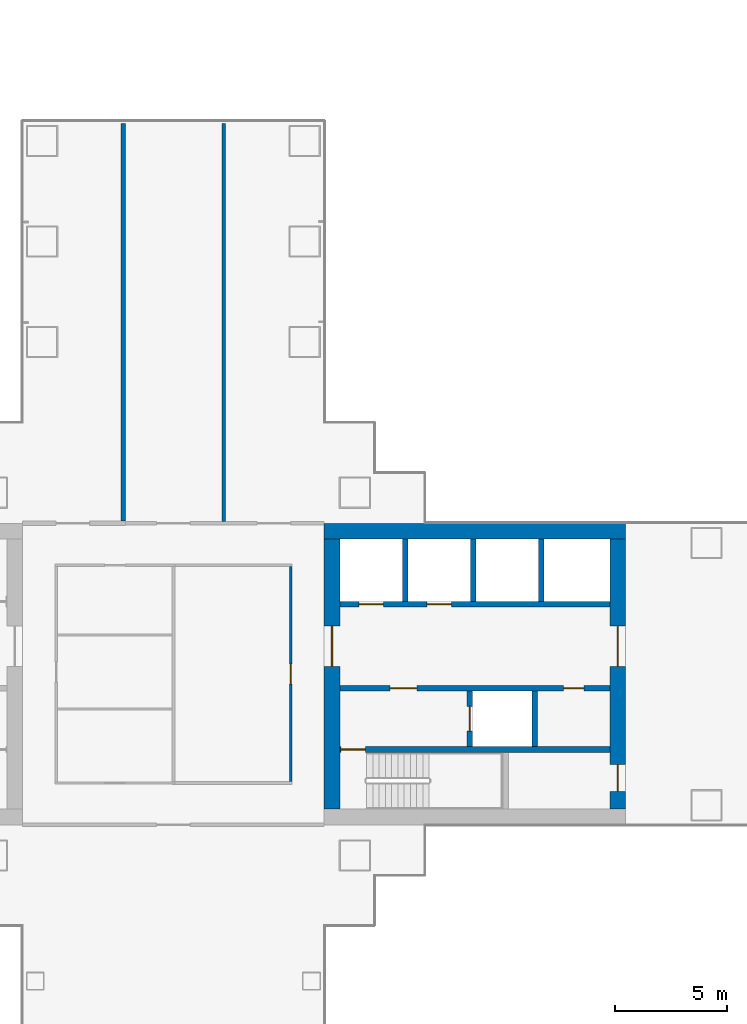
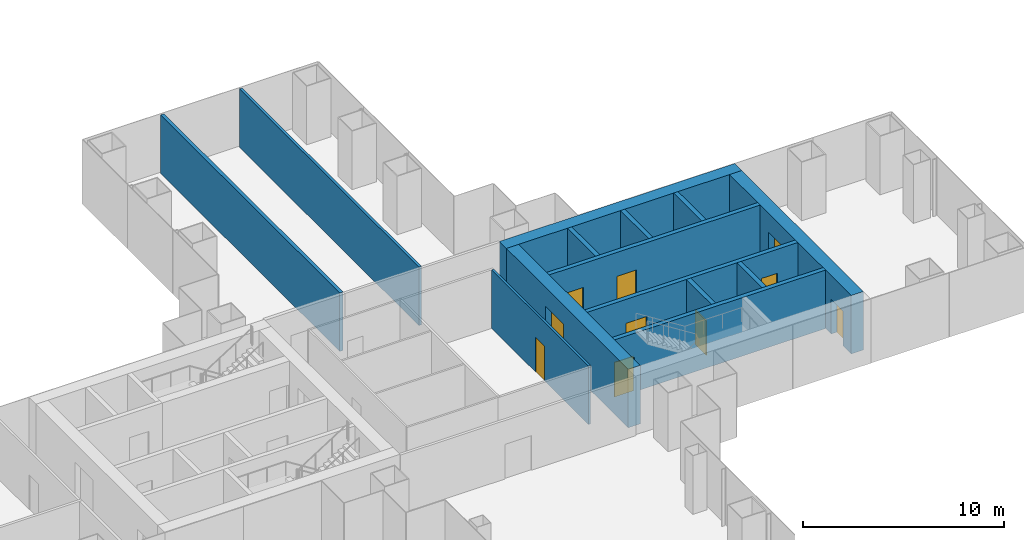
# One storey, part 14 of 21: 14 walls, 10 doors, 10 openings.
"""IFC4 building model written with IfcOpenShell, lengths in metres."""

from ifc_helpers import new_model, si_unit, direction, frame, frame_2d, origin, place, context, subcontext, project, spatial, rectangle, extrude, material, layer, layer_set, type_object, element, fill, save


model = new_model("IFC4")

# Units and contexts
model_context = context("Model", 3, precision=1e-05, world=origin(), true_north=direction((0.0, 1.0)))
body_context = subcontext(model_context, "Body", "Model", "MODEL_VIEW")
ifc_project = project(units=[si_unit("LENGTHUNIT", "METRE"), si_unit("AREAUNIT", "SQUARE_METRE"), si_unit("VOLUMEUNIT", "CUBIC_METRE"), si_unit("PLANEANGLEUNIT", "RADIAN"), si_unit("MASSUNIT", "GRAM", prefix="KILO")], contexts=[model_context])

# Site, building, storey
site_placement = place(None, origin())
site = spatial("IfcSite", under=ifc_project, at=site_placement, CompositionType="ELEMENT")
building_placement = place(site_placement, origin())
building = spatial("IfcBuilding", under=site, at=building_placement, Name="Shamsa Quay Exchange Towers", CompositionType="ELEMENT")
storey_placement = place(building_placement, frame((0.0, 0.0, 49.800048828125)))
storey = spatial("IfcBuildingStorey", under=building, at=storey_placement, Name="L10", CompositionType="ELEMENT", Elevation=49.800048828125)

# Wall
ifc_material_1 = material(Name="Concrete C80/95", Category="concrete")
ifc_layer_1 = layer(ifc_material_1, 0.699951171875)
ifc_layer_set_1 = layer_set([ifc_layer_1], Name="CORE WALL 700 C80/95")
wall_type_1 = type_object("IfcWallType", Name="CORE WALL 700 C80/95", PredefinedType="SHEAR", material=ifc_layer_set_1)
wall_1_placement = place(storey_placement, frame((-27.0, 6.39990234375, 0.0)))
element("IfcWall", 1, at=wall_1_placement, inside=storey, type_object=wall_type_1, Name="Core wall T1A-R04-PN", PredefinedType="SHEAR", context=body_context, shape_type="SweptSolid", body=[
    extrude(rectangle(XDim=13.5, YDim=0.699951171875, at=frame_2d((6.75, 0.0))), origin(), (0.0, 0.0, 1.0), 3.550048828125),
])

# Wall, opening, door
wall_2_placement = place(storey_placement, frame((-26.64990234375, 6.050048828125, 0.0), z_axis=(0.0, 0.0, 1.0), x_axis=(0.0, -1.0, 0.0)))
wall_2 = element("IfcWall", 2, at=wall_2_placement, inside=storey, type_object=wall_type_1, Name="Core wall T1A-R04-PF", PredefinedType="SHEAR", context=body_context, shape_type="SweptSolid", body=[
    extrude(rectangle(XDim=12.10009765625, YDim=0.699951171875, at=frame_2d((6.050048828125, 0.0))), origin(), (0.0, 0.0, 1.0), 3.550048828125),
])
opening_1_placement = place(wall_2_placement, frame((3.89990234375, 0.0, 0.0)))
opening_1 = element("IfcOpeningElement", 3, at=opening_1_placement, cuts=wall_2, Name="Opening T1A-R04-LBD01", PredefinedType="OPENING", context=body_context, shape_type="SweptSolid", body=[
    extrude(rectangle(XDim=1.800048828125, YDim=2.39990234375, at=frame_2d((0.89990234375, 1.199951171875))), frame((0.0, 0.35986328125, 0.0), z_axis=(0.0, -1.0, 0.0), x_axis=(1.0, 0.0, 0.0)), (0.0, 0.0, 1.0), 0.719970703125),
])
ifc_material_2 = material(Name="Steel, fire rated", Category="steel")
door_type_1 = type_object("IfcDoorType", Name="LIFT LOBBY DOOR PAIR 1800", OperationType="DOUBLE_DOOR_SINGLE_SWING", PredefinedType="DOOR", material=ifc_material_2)
door_1_placement = place(opening_1_placement, origin())
door_1 = element("IfcDoor", 4, at=door_1_placement, inside=storey, type_object=door_type_1, Name="T1A-R04-LBD01", OperationType="DOUBLE_DOOR_SINGLE_SWING", OverallHeight=2.39990234375, OverallWidth=1.800048828125, PredefinedType="DOOR", context=body_context, shape_type="SweptSolid", body=[
    extrude(rectangle(XDim=1.800048828125, YDim=2.39990234375, at=frame_2d((0.89990234375, 1.199951171875))), frame((0.0, 0.02490234375, 0.0), z_axis=(0.0, -1.0, 0.0), x_axis=(1.0, 0.0, 0.0)), (0.0, 0.0, 1.0), 0.050048828125),
])
fill(opening_1, door_1)

# Wall, openings, doors
wall_3_placement = place(storey_placement, frame((-13.85009765625, 6.050048828125, 0.0), z_axis=(0.0, 0.0, 1.0), x_axis=(0.0, -1.0, 0.0)))
wall_3 = element("IfcWall", 5, at=wall_3_placement, inside=storey, type_object=wall_type_1, Name="Core wall T1A-R04-PB", PredefinedType="SHEAR", context=body_context, shape_type="SweptSolid", body=[
    extrude(rectangle(XDim=12.10009765625, YDim=0.699951171875, at=frame_2d((6.050048828125, 0.0))), origin(), (0.0, 0.0, 1.0), 3.550048828125),
])
opening_2_placement = place(wall_3_placement, frame((10.10009765625, 0.0, 0.0)))
opening_2 = element("IfcOpeningElement", 6, at=opening_2_placement, cuts=wall_3, Name="Opening T1A-R04-RD02", PredefinedType="OPENING", context=body_context, shape_type="SweptSolid", body=[
    extrude(rectangle(XDim=1.199951171875, YDim=2.10009765625, at=frame_2d((0.60009765625, 1.050048828125))), frame((0.0, 0.35986328125, 0.0), z_axis=(0.0, -1.0, 0.0), x_axis=(1.0, 0.0, 0.0)), (0.0, 0.0, 1.0), 0.719970703125),
])
opening_3_placement = place(wall_3_placement, frame((3.89990234375, 0.0, 0.0)))
opening_3 = element("IfcOpeningElement", 7, at=opening_3_placement, cuts=wall_3, Name="Opening T1A-R04-LBD03", PredefinedType="OPENING", context=body_context, shape_type="SweptSolid", body=[
    extrude(rectangle(XDim=1.800048828125, YDim=2.39990234375, at=frame_2d((0.89990234375, 1.199951171875))), frame((0.0, 0.35986328125, 0.0), z_axis=(0.0, -1.0, 0.0), x_axis=(1.0, 0.0, 0.0)), (0.0, 0.0, 1.0), 0.719970703125),
])
door_2_placement = place(opening_3_placement, origin())
door_2 = element("IfcDoor", 8, at=door_2_placement, inside=storey, type_object=door_type_1, Name="T1A-R04-LBD03", OperationType="DOUBLE_DOOR_SINGLE_SWING", OverallHeight=2.39990234375, OverallWidth=1.800048828125, PredefinedType="DOOR", context=body_context, shape_type="SweptSolid", body=[
    extrude(rectangle(XDim=1.800048828125, YDim=2.39990234375, at=frame_2d((0.89990234375, 1.199951171875))), frame((0.0, 0.02490234375, 0.0), z_axis=(0.0, -1.0, 0.0), x_axis=(1.0, 0.0, 0.0)), (0.0, 0.0, 1.0), 0.050048828125),
])
fill(opening_3, door_2)
door_type_2 = type_object("IfcDoorType", Name="RISER ACCESS DOOR 1200", OperationType="SINGLE_SWING_LEFT", PredefinedType="DOOR", material=ifc_material_2)
door_3_placement = place(opening_2_placement, origin())
door_3 = element("IfcDoor", 9, at=door_3_placement, inside=storey, type_object=door_type_2, Name="T1A-R04-RD02", OperationType="SINGLE_SWING_RIGHT", OverallHeight=2.10009765625, OverallWidth=1.199951171875, PredefinedType="DOOR", context=body_context, shape_type="SweptSolid", body=[
    extrude(rectangle(XDim=1.199951171875, YDim=2.10009765625, at=frame_2d((0.60009765625, 1.050048828125))), frame((0.0, 0.02490234375, 0.0), z_axis=(0.0, -1.0, 0.0), x_axis=(1.0, 0.0, 0.0)), (0.0, 0.0, 1.0), 0.050048828125),
])
fill(opening_2, door_3)

# Wall, opening, door
ifc_material_3 = material(Name="Laminated fire-resisting glass in a metal frame", Category="glass")
ifc_layer_2 = layer(ifc_material_3, 0.125)
ifc_layer_set_2 = layer_set([ifc_layer_2], Name="Glazed partition 125 mm EI 60")
wall_type_2 = type_object("IfcWallType", Name="Glazed partition 125 mm EI 60", PredefinedType="PARTITIONING", material=ifc_layer_set_2)
wall_4_placement = place(storey_placement, frame((-28.5, -4.8125, 0.0), z_axis=(0.0, 0.0, 1.0), x_axis=(0.0, 1.0, 0.0)))
wall_4 = element("IfcWall", 10, at=wall_4_placement, inside=storey, type_object=wall_type_2, Name="Partition T1-R04-W05", PredefinedType="PARTITIONING", context=body_context, shape_type="SweptSolid", body=[
    extrude(rectangle(XDim=9.625, YDim=0.125, at=frame_2d((4.8125, 0.0))), origin(), (0.0, 0.0, 1.0), 3.550048828125),
])
opening_4_placement = place(wall_4_placement, frame((4.362548828125, 0.0, 0.0)))
opening_4 = element("IfcOpeningElement", 11, at=opening_4_placement, cuts=wall_4, Name="Opening T1-R04-D09", PredefinedType="OPENING", context=body_context, shape_type="SweptSolid", body=[
    extrude(rectangle(XDim=0.89990234375, YDim=2.10009765625, at=frame_2d((0.449951171875, 1.050048828125))), frame((0.0, 0.072509765625, 0.0), z_axis=(0.0, -1.0, 0.0), x_axis=(1.0, 0.0, 0.0)), (0.0, 0.0, 1.0), 0.14501953125),
])
ifc_material_4 = material(Name="Timber door leaf in a metal frame", Category="wood")
door_type_3 = type_object("IfcDoorType", Name="Door 900x2100 FD30S", OperationType="NOTDEFINED", PredefinedType="DOOR", material=ifc_material_4)
door_4_placement = place(opening_4_placement, origin())
door_4 = element("IfcDoor", 12, at=door_4_placement, inside=storey, type_object=door_type_3, Name="Door T1-R04-D09", OperationType="SINGLE_SWING_RIGHT", OverallHeight=2.10009765625, OverallWidth=0.89990234375, PredefinedType="DOOR", context=body_context, shape_type="SweptSolid", body=[
    extrude(rectangle(XDim=0.89990234375, YDim=2.10009765625, at=frame_2d((0.449951171875, 1.050048828125))), frame((0.0, 0.02490234375, 0.0), z_axis=(0.0, -1.0, 0.0), x_axis=(1.0, 0.0, 0.0)), (0.0, 0.0, 1.0), 0.050048828125),
])
fill(opening_4, door_4)

# Walls
ifc_material_5 = material(Name="Gypsum board partition on metal studs")
ifc_layer_3 = layer(ifc_material_5, 0.14990234375)
ifc_layer_set_3 = layer_set([ifc_layer_3], Name="Partition 150 mm EI 60")
wall_type_3 = type_object("IfcWallType", Name="Partition 150 mm EI 60", PredefinedType="PARTITIONING", material=ifc_layer_set_3)
wall_5_placement = place(storey_placement, frame((-31.5, 6.824951171875, 0.0), z_axis=(0.0, 0.0, 1.0), x_axis=(0.0, 1.0, 0.0)))
element("IfcWall", 13, at=wall_5_placement, inside=storey, type_object=wall_type_3, Name="Partition T1-R04-W16", PredefinedType="PARTITIONING", context=body_context, shape_type="SweptSolid", body=[
    extrude(rectangle(XDim=17.830078125, YDim=0.14990234375, at=frame_2d((8.9150390625, 0.0))), origin(), (0.0, 0.0, 1.0), 3.550048828125),
])
ifc_layer_4 = layer(ifc_material_5, 0.199951171875)
ifc_layer_set_4 = layer_set([ifc_layer_4], Name="Partition 200 mm EI 90")
wall_type_4 = type_object("IfcWallType", Name="Partition 200 mm EI 90", PredefinedType="PARTITIONING", material=ifc_layer_set_4)
wall_6_placement = place(storey_placement, frame((-36.0, 6.85009765625, 0.0), z_axis=(0.0, 0.0, 1.0), x_axis=(0.0, 1.0, 0.0)))
element("IfcWall", 14, at=wall_6_placement, inside=storey, type_object=wall_type_4, Name="Partition T1-R04-W15", PredefinedType="PARTITIONING", context=body_context, shape_type="SweptSolid", body=[
    extrude(rectangle(XDim=17.804931640625, YDim=0.199951171875, at=frame_2d((8.90234375, 0.0))), origin(), (0.0, 0.0, 1.0), 3.550048828125),
])

# Wall, opening, door
ifc_material_6 = material(Name="Concrete C50/60", Category="concrete")
ifc_layer_5 = layer(ifc_material_6, 0.25)
ifc_layer_set_5 = layer_set([ifc_layer_5], Name="SHAFT WALL 250 C50/60")
wall_type_5 = type_object("IfcWallType", Name="SHAFT WALL 250 C50/60", PredefinedType="SHEAR", material=ifc_layer_set_5)
wall_7_placement = place(storey_placement, frame((-14.199951171875, -3.375, 0.0), z_axis=(0.0, 0.0, 1.0), x_axis=(-1.0, 0.0, 0.0)))
wall_7 = element("IfcWall", 15, at=wall_7_placement, inside=storey, type_object=wall_type_5, Name="Shaft wall T1A-R04-STL", PredefinedType="SHEAR", context=body_context, shape_type="SweptSolid", body=[
    extrude(rectangle(XDim=12.10009765625, YDim=0.25, at=frame_2d((6.050048828125, 0.0))), origin(), (0.0, 0.0, 1.0), 3.550048828125),
])
opening_5_placement = place(wall_7_placement, frame((10.949951171875, 0.0, 0.0)))
opening_5 = element("IfcOpeningElement", 16, at=opening_5_placement, cuts=wall_7, Name="Opening T1A-R04-SD04", PredefinedType="OPENING", context=body_context, shape_type="SweptSolid", body=[
    extrude(rectangle(XDim=1.10009765625, YDim=2.10009765625, at=frame_2d((0.550048828125, 1.050048828125))), frame((0.0, 0.135009765625, 0.0), z_axis=(0.0, -1.0, 0.0), x_axis=(1.0, 0.0, 0.0)), (0.0, 0.0, 1.0), 0.27001953125),
])
door_type_4 = type_object("IfcDoorType", Name="STAIR DOOR 1100", OperationType="SINGLE_SWING_LEFT", PredefinedType="DOOR", material=ifc_material_2)
door_5_placement = place(opening_5_placement, origin())
door_5 = element("IfcDoor", 17, at=door_5_placement, inside=storey, type_object=door_type_4, Name="T1A-R04-SD04", OperationType="SINGLE_SWING_RIGHT", OverallHeight=2.10009765625, OverallWidth=1.10009765625, PredefinedType="DOOR", context=body_context, shape_type="SweptSolid", body=[
    extrude(rectangle(XDim=1.10009765625, YDim=2.10009765625, at=frame_2d((0.550048828125, 1.050048828125))), frame((0.0, 0.02490234375, 0.0), z_axis=(0.0, -1.0, 0.0), x_axis=(1.0, 0.0, 0.0)), (0.0, 0.0, 1.0), 0.050048828125),
])
fill(opening_5, door_5)

# Wall, openings, doors
wall_8_placement = place(storey_placement, frame((-14.199951171875, -0.625, 0.0), z_axis=(0.0, 0.0, 1.0), x_axis=(-1.0, 0.0, 0.0)))
wall_8 = element("IfcWall", 18, at=wall_8_placement, inside=storey, type_object=wall_type_5, Name="Shaft wall T1A-R04-B", PredefinedType="SHEAR", context=body_context, shape_type="SweptSolid", body=[
    extrude(rectangle(XDim=12.10009765625, YDim=0.25, at=frame_2d((6.050048828125, 0.0))), origin(), (0.0, 0.0, 1.0), 3.550048828125),
])
opening_6_placement = place(wall_8_placement, frame((8.64990234375, 0.0, 0.0)))
opening_6 = element("IfcOpeningElement", 19, at=opening_6_placement, cuts=wall_8, Name="Opening T1A-R04-FD05", PredefinedType="OPENING", context=body_context, shape_type="SweptSolid", body=[
    extrude(rectangle(XDim=1.199951171875, YDim=2.10009765625, at=frame_2d((0.60009765625, 1.050048828125))), frame((0.0, 0.135009765625, 0.0), z_axis=(0.0, -1.0, 0.0), x_axis=(1.0, 0.0, 0.0)), (0.0, 0.0, 1.0), 0.27001953125),
])
opening_7_placement = place(wall_8_placement, frame((1.175048828125, 0.0, 0.0)))
opening_7 = element("IfcOpeningElement", 20, at=opening_7_placement, cuts=wall_8, Name="Opening T1A-R04-SV06", PredefinedType="OPENING", context=body_context, shape_type="SweptSolid", body=[
    extrude(rectangle(XDim=0.89990234375, YDim=2.10009765625, at=frame_2d((0.449951171875, 1.050048828125))), frame((0.0, 0.135009765625, 0.0), z_axis=(0.0, -1.0, 0.0), x_axis=(1.0, 0.0, 0.0)), (0.0, 0.0, 1.0), 0.27001953125),
])
door_type_5 = type_object("IfcDoorType", Name="FIRE SERVICE LOBBY DOOR 1200", OperationType="SINGLE_SWING_LEFT", PredefinedType="DOOR", material=ifc_material_2)
door_6_placement = place(opening_6_placement, origin())
door_6 = element("IfcDoor", 21, at=door_6_placement, inside=storey, type_object=door_type_5, Name="T1A-R04-FD05", OperationType="SINGLE_SWING_RIGHT", OverallHeight=2.10009765625, OverallWidth=1.199951171875, PredefinedType="DOOR", context=body_context, shape_type="SweptSolid", body=[
    extrude(rectangle(XDim=1.199951171875, YDim=2.10009765625, at=frame_2d((0.60009765625, 1.050048828125))), frame((0.0, 0.02490234375, 0.0), z_axis=(0.0, -1.0, 0.0), x_axis=(1.0, 0.0, 0.0)), (0.0, 0.0, 1.0), 0.050048828125),
])
fill(opening_6, door_6)
door_type_6 = type_object("IfcDoorType", Name="SERVICE ROOM DOOR 900", OperationType="SINGLE_SWING_LEFT", PredefinedType="DOOR", material=ifc_material_2)
door_7_placement = place(opening_7_placement, origin())
door_7 = element("IfcDoor", 22, at=door_7_placement, inside=storey, type_object=door_type_6, Name="T1A-R04-SV06", OperationType="SINGLE_SWING_LEFT", OverallHeight=2.10009765625, OverallWidth=0.89990234375, PredefinedType="DOOR", context=body_context, shape_type="SweptSolid", body=[
    extrude(rectangle(XDim=0.89990234375, YDim=2.10009765625, at=frame_2d((0.449951171875, 1.050048828125))), frame((0.0, 0.02490234375, 0.0), z_axis=(0.0, -1.0, 0.0), x_axis=(1.0, 0.0, 0.0)), (0.0, 0.0, 1.0), 0.050048828125),
])
fill(opening_7, door_7)

# Wall, opening, door
wall_9_placement = place(storey_placement, frame((-20.47509765625, -3.25, 0.0), z_axis=(0.0, 0.0, 1.0), x_axis=(0.0, 1.0, 0.0)))
wall_9 = element("IfcWall", 23, at=wall_9_placement, inside=storey, type_object=wall_type_5, Name="Shaft wall T1A-R04-FFF", PredefinedType="SHEAR", context=body_context, shape_type="SweptSolid", body=[
    extrude(rectangle(XDim=2.5, YDim=0.25, at=frame_2d((1.25, 0.0))), origin(), (0.0, 0.0, 1.0), 3.550048828125),
])
opening_8_placement = place(wall_9_placement, frame((0.699951171875, 0.0, 0.0)))
opening_8 = element("IfcOpeningElement", 24, at=opening_8_placement, cuts=wall_9, Name="Opening T1A-R04-LDF07", PredefinedType="OPENING", context=body_context, shape_type="SweptSolid", body=[
    extrude(rectangle(XDim=1.10009765625, YDim=2.10009765625, at=frame_2d((0.550048828125, 1.050048828125))), frame((0.0, 0.135009765625, 0.0), z_axis=(0.0, -1.0, 0.0), x_axis=(1.0, 0.0, 0.0)), (0.0, 0.0, 1.0), 0.27001953125),
])
door_type_7 = type_object("IfcDoorType", Name="FIRE SERVICE LANDING DOOR 1100", OperationType="SLIDING_TO_LEFT", PredefinedType="DOOR", material=ifc_material_2)
door_8_placement = place(opening_8_placement, origin())
door_8 = element("IfcDoor", 25, at=door_8_placement, inside=storey, type_object=door_type_7, Name="T1A-R04-LDF07", OperationType="SLIDING_TO_LEFT", OverallHeight=2.10009765625, OverallWidth=1.10009765625, PredefinedType="DOOR", context=body_context, shape_type="SweptSolid", body=[
    extrude(rectangle(XDim=1.10009765625, YDim=2.10009765625, at=frame_2d((0.550048828125, 1.050048828125))), frame((0.0, 0.02490234375, 0.0), z_axis=(0.0, -1.0, 0.0), x_axis=(1.0, 0.0, 0.0)), (0.0, 0.0, 1.0), 0.050048828125),
])
fill(opening_8, door_8)

# Wall
wall_10_placement = place(storey_placement, frame((-17.574951171875, -3.25, 0.0), z_axis=(0.0, 0.0, 1.0), x_axis=(0.0, 1.0, 0.0)))
element("IfcWall", 26, at=wall_10_placement, inside=storey, type_object=wall_type_5, Name="Shaft wall T1A-R04-FFB", PredefinedType="SHEAR", context=body_context, shape_type="SweptSolid", body=[
    extrude(rectangle(XDim=2.5, YDim=0.25, at=frame_2d((1.25, 0.0))), origin(), (0.0, 0.0, 1.0), 3.550048828125),
])

# Wall, openings, doors
wall_11_placement = place(storey_placement, frame((-26.300048828125, 3.125, 0.0)))
wall_11 = element("IfcWall", 27, at=wall_11_placement, inside=storey, type_object=wall_type_5, Name="Shaft wall T1A-R04-N", PredefinedType="SHEAR", context=body_context, shape_type="SweptSolid", body=[
    extrude(rectangle(XDim=12.10009765625, YDim=0.25, at=frame_2d((6.050048828125, 0.0))), origin(), (0.0, 0.0, 1.0), 3.550048828125),
])
opening_9_placement = place(wall_11_placement, frame((0.85009765625, 0.0, 0.0)))
opening_9 = element("IfcOpeningElement", 28, at=opening_9_placement, cuts=wall_11, Name="Opening T1A-R04-LD08", PredefinedType="OPENING", context=body_context, shape_type="SweptSolid", body=[
    extrude(rectangle(XDim=1.10009765625, YDim=2.10009765625, at=frame_2d((0.550048828125, 1.050048828125))), frame((0.0, 0.135009765625, 0.0), z_axis=(0.0, -1.0, 0.0), x_axis=(1.0, 0.0, 0.0)), (0.0, 0.0, 1.0), 0.27001953125),
])
opening_10_placement = place(wall_11_placement, frame((3.89990234375, 0.0, 0.0)))
opening_10 = element("IfcOpeningElement", 29, at=opening_10_placement, cuts=wall_11, Name="Opening T1A-R04-LD09", PredefinedType="OPENING", context=body_context, shape_type="SweptSolid", body=[
    extrude(rectangle(XDim=1.10009765625, YDim=2.10009765625, at=frame_2d((0.550048828125, 1.050048828125))), frame((0.0, 0.135009765625, 0.0), z_axis=(0.0, -1.0, 0.0), x_axis=(1.0, 0.0, 0.0)), (0.0, 0.0, 1.0), 0.27001953125),
])
door_type_8 = type_object("IfcDoorType", Name="LANDING DOOR 1100", OperationType="SLIDING_TO_LEFT", PredefinedType="DOOR", material=ifc_material_2)
door_9_placement = place(opening_9_placement, origin())
door_9 = element("IfcDoor", 30, at=door_9_placement, inside=storey, type_object=door_type_8, Name="T1A-R04-LD08", OperationType="SLIDING_TO_LEFT", OverallHeight=2.10009765625, OverallWidth=1.10009765625, PredefinedType="DOOR", context=body_context, shape_type="SweptSolid", body=[
    extrude(rectangle(XDim=1.10009765625, YDim=2.10009765625, at=frame_2d((0.550048828125, 1.050048828125))), frame((0.0, 0.02490234375, 0.0), z_axis=(0.0, -1.0, 0.0), x_axis=(1.0, 0.0, 0.0)), (0.0, 0.0, 1.0), 0.050048828125),
])
fill(opening_9, door_9)
door_10_placement = place(opening_10_placement, origin())
door_10 = element("IfcDoor", 31, at=door_10_placement, inside=storey, type_object=door_type_8, Name="T1A-R04-LD09", OperationType="SLIDING_TO_LEFT", OverallHeight=2.10009765625, OverallWidth=1.10009765625, PredefinedType="DOOR", context=body_context, shape_type="SweptSolid", body=[
    extrude(rectangle(XDim=1.10009765625, YDim=2.10009765625, at=frame_2d((0.550048828125, 1.050048828125))), frame((0.0, 0.02490234375, 0.0), z_axis=(0.0, -1.0, 0.0), x_axis=(1.0, 0.0, 0.0)), (0.0, 0.0, 1.0), 0.050048828125),
])
fill(opening_10, door_10)

# Walls
for number, where, z_axis, x_axis, name in (
    (32, (-23.375, 3.25, 0.0), (0.0, 0.0, 1.0), (0.0, 1.0, 0.0), "Shaft wall T1A-R04-D0"),
    (33, (-20.324951171875, 3.25, 0.0), (0.0, 0.0, 1.0), (0.0, 1.0, 0.0), "Shaft wall T1A-R04-D1"),
    (34, (-17.27490234375, 3.25, 0.0), (0.0, 0.0, 1.0), (0.0, 1.0, 0.0), "Shaft wall T1A-R04-D2"),
):
    element("IfcWall", number, at=place(storey_placement, frame(where, z_axis=z_axis, x_axis=x_axis)), inside=storey, type_object=wall_type_5, Name=name, PredefinedType="SHEAR", context=body_context, shape_type="SweptSolid", body=[
        extrude(rectangle(XDim=2.800048828125, YDim=0.25, at=frame_2d((1.39990234375, 0.0))), origin(), (0.0, 0.0, 1.0), 3.550048828125),
    ])

save(model, "model.ifc")
